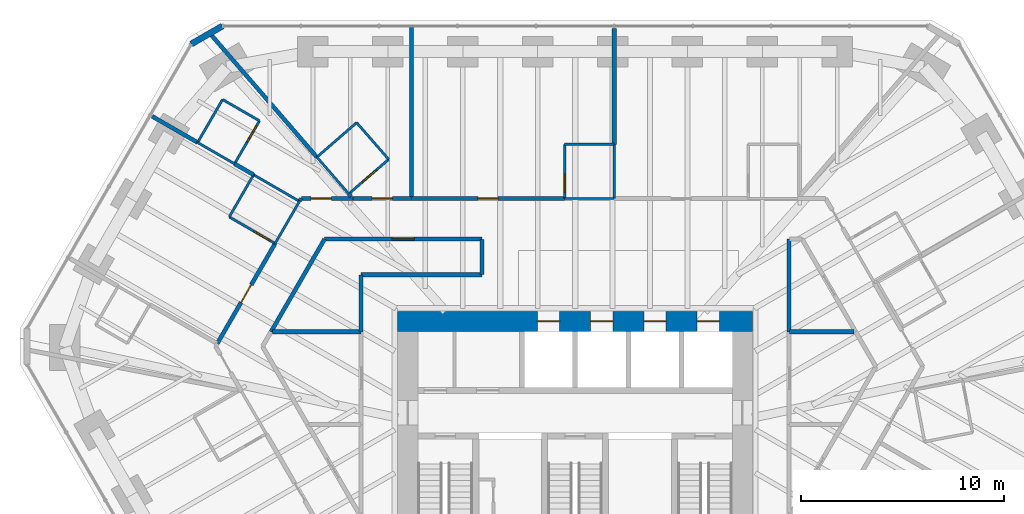
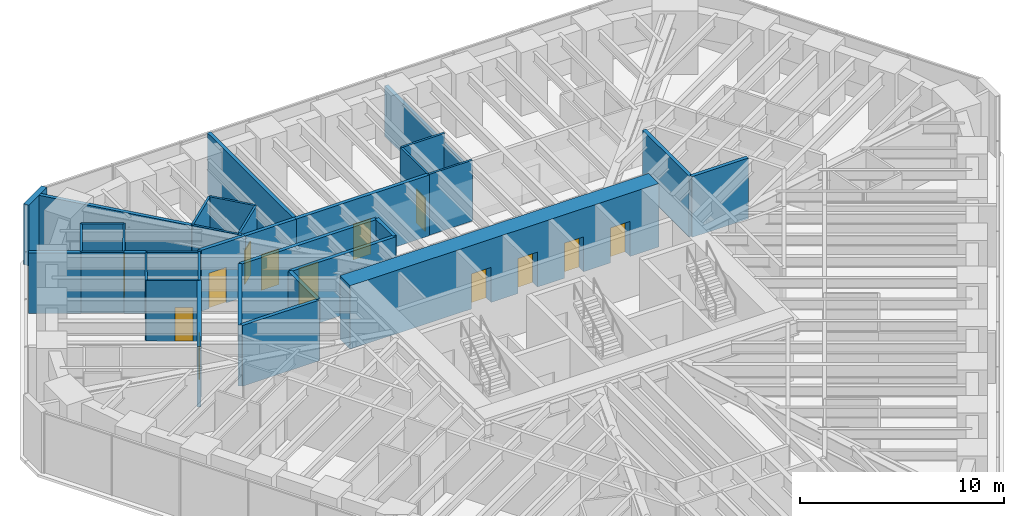
# One storey, part 14 of 16: 37 walls, 13 doors, 13 openings.
"""IFC4 building model written with IfcOpenShell, lengths in metres."""

from ifc_helpers import new_model, si_unit, direction, frame, frame_2d, origin, place, context, subcontext, project, spatial, rectangle, extrude, material, layer, layer_set, type_object, element, fill, save


model = new_model("IFC4")

# Units and contexts
model_context = context("Model", 3, precision=1e-05, world=origin(), true_north=direction((0.0, 1.0)))
body_context = subcontext(model_context, "Body", "Model", "MODEL_VIEW")
ifc_project = project(units=[si_unit("LENGTHUNIT", "METRE"), si_unit("AREAUNIT", "SQUARE_METRE"), si_unit("VOLUMEUNIT", "CUBIC_METRE"), si_unit("PLANEANGLEUNIT", "RADIAN"), si_unit("MASSUNIT", "GRAM", prefix="KILO")], contexts=[model_context])

# Site, building, storey
site_placement = place(None, origin())
site = spatial("IfcSite", under=ifc_project, at=site_placement, CompositionType="ELEMENT")
building_placement = place(site_placement, origin())
building = spatial("IfcBuilding", under=site, at=building_placement, Name="Sandreach Pilgrim Tower", CompositionType="ELEMENT")
storey_placement = place(building_placement, frame((0.0, 0.0, 206.0)))
storey = spatial("IfcBuildingStorey", under=building, at=storey_placement, Name="L51", CompositionType="ELEMENT", Elevation=206.0)

# Walls
ifc_material_1 = material(Name="Moisture-resistant gypsum board on steel studs", Category="steel")
ifc_layer_1 = layer(ifc_material_1, 0.1201171875)
ifc_layer_set_1 = layer_set([ifc_layer_1], Name="Bathroom partition 120")
wall_type_1 = type_object("IfcWallType", Name="Bathroom partition 120", PredefinedType="PARTITIONING", material=ifc_layer_set_1)
wall_1_placement = place(storey_placement, frame((-18.610107421875, 15.419921875, 0.0), z_axis=(0.0, 0.0, 1.0), x_axis=(0.86618365172, -0.499725806311, 0.0)))
element("IfcWall", 1, at=wall_1_placement, inside=storey, type_object=wall_type_1, Name="Bathroom partition L51-011", PredefinedType="PARTITIONING", context=body_context, shape_type="SweptSolid", body=[
    extrude(rectangle(XDim=2.101318359375, YDim=0.1201171875, at=frame_2d((1.05078125, 0.0))), origin(), (0.0, 0.0, 1.0), 3.639892578125),
])
wall_2_placement = place(storey_placement, frame((-17.3798828125, 17.5400390625, 0.0), z_axis=(0.0, 0.0, 1.0), x_axis=(-0.501888006485, -0.864932615264, 0.0)))
element("IfcWall", 2, at=wall_2_placement, inside=storey, type_object=wall_type_1, Name="Bathroom partition L51-016", PredefinedType="PARTITIONING", context=body_context, shape_type="SweptSolid", body=[
    extrude(rectangle(XDim=2.451171875, YDim=0.1201171875, at=frame_2d((1.2255859375, 0.0))), origin(), (0.0, 0.0, 1.0), 3.639892578125),
])

# Wall, opening, door
wall_3_placement = place(storey_placement, frame((-17.050048828125, 11.75, 0.0), z_axis=(0.0, 0.0, 1.0), x_axis=(0.865155281359, -0.50150407689, 0.0)))
wall_3 = element("IfcWall", 3, at=wall_3_placement, inside=storey, type_object=wall_type_1, Name="Bathroom partition L51-017", PredefinedType="PARTITIONING", context=body_context, shape_type="SweptSolid", body=[
    extrude(rectangle(XDim=2.6123046875, YDim=0.1201171875, at=frame_2d((1.30615234375, 0.0))), origin(), (0.0, 0.0, 1.0), 3.639892578125),
])
opening_1_placement = place(wall_3_placement, frame((1.412109375, 0.0, 0.0)))
opening_1 = element("IfcOpeningElement", 4, at=opening_1_placement, cuts=wall_3, Name="Opening D09-16B", PredefinedType="OPENING", context=body_context, shape_type="SweptSolid", body=[
    extrude(rectangle(XDim=0.89990234375, YDim=2.030029296875, at=frame_2d((0.449951171875, 1.01513671875))), frame((0.0, 0.06005859375, 0.0), z_axis=(0.0, -1.0, 0.0), x_axis=(1.0, 0.0, 0.0)), (0.0, 0.0, 1.0), 0.1201171875),
])
ifc_material_2 = material(Name="Timber door, steel frame", Category="steel")
door_type_1 = type_object("IfcDoorType", Name="Bathroom door", OperationType="SINGLE_SWING_LEFT", PredefinedType="DOOR", material=ifc_material_2)
door_1_placement = place(opening_1_placement, origin())
door_1 = element("IfcDoor", 5, at=door_1_placement, inside=storey, type_object=door_type_1, Name="Door 5116B", OperationType="SINGLE_SWING_RIGHT", OverallHeight=2.030029296875, OverallWidth=0.89990234375, PredefinedType="DOOR", context=body_context, shape_type="SweptSolid", body=[
    extrude(rectangle(XDim=0.89990234375, YDim=2.030029296875, at=frame_2d((0.449951171875, 1.01513671875))), frame((0.0, 0.02490234375, 0.0), z_axis=(0.0, -1.0, 0.0), x_axis=(1.0, 0.0, 0.0)), (0.0, 0.0, 1.0), 0.050048828125),
])
fill(opening_1, door_1)

wall_4_placement = place(storey_placement, frame((-16.7900390625, 14.3701171875, 0.0), z_axis=(0.0, 0.0, 1.0), x_axis=(0.501856726365, 0.86495076519, 0.0)))
wall_4 = element("IfcWall", 6, at=wall_4_placement, inside=storey, type_object=wall_type_1, Name="Bathroom partition L51-019", PredefinedType="PARTITIONING", context=body_context, shape_type="SweptSolid", body=[
    extrude(rectangle(XDim=2.450927734375, YDim=0.1201171875, at=frame_2d((1.2255859375, 0.0))), origin(), (0.0, 0.0, 1.0), 3.639892578125),
])
opening_2_placement = place(wall_4_placement, frame((1.2509765625, 0.0, 0.0)))
opening_2 = element("IfcOpeningElement", 7, at=opening_2_placement, cuts=wall_4, Name="Opening D09-17B", PredefinedType="OPENING", context=body_context, shape_type="SweptSolid", body=[
    extrude(rectangle(XDim=0.89990234375, YDim=2.030029296875, at=frame_2d((0.449951171875, 1.01513671875))), frame((0.0, 0.06005859375, 0.0), z_axis=(0.0, -1.0, 0.0), x_axis=(1.0, 0.0, 0.0)), (0.0, 0.0, 1.0), 0.1201171875),
])
door_2_placement = place(opening_2_placement, origin())
door_2 = element("IfcDoor", 8, at=door_2_placement, inside=storey, type_object=door_type_1, Name="Door 5117B", OperationType="SINGLE_SWING_RIGHT", OverallHeight=2.030029296875, OverallWidth=0.89990234375, PredefinedType="DOOR", context=body_context, shape_type="SweptSolid", body=[
    extrude(rectangle(XDim=0.89990234375, YDim=2.030029296875, at=frame_2d((0.449951171875, 1.01513671875))), frame((0.0, 0.02490234375, 0.0), z_axis=(0.0, -1.0, 0.0), x_axis=(1.0, 0.0, 0.0)), (0.0, 0.0, 1.0), 0.050048828125),
])
fill(opening_2, door_2)

# Walls
wall_5_placement = place(storey_placement, frame((-15.85009765625, 13.830078125, 0.0), z_axis=(0.0, 0.0, 1.0), x_axis=(-0.499693115345, -0.866202511239, 0.0)))
element("IfcWall", 9, at=wall_5_placement, inside=storey, type_object=wall_type_1, Name="Bathroom partition L51-023", PredefinedType="PARTITIONING", context=body_context, shape_type="SweptSolid", body=[
    extrude(rectangle(XDim=2.4013671875, YDim=0.1201171875, at=frame_2d((1.20068359375, 0.0))), origin(), (0.0, 0.0, 1.0), 3.639892578125),
])
wall_6_placement = place(storey_placement, frame((-15.85009765625, 13.830078125, 0.0), z_axis=(0.0, 0.0, 1.0), x_axis=(0.865155281359, -0.50150407689, 0.0)))
element("IfcWall", 10, at=wall_6_placement, inside=storey, type_object=wall_type_1, Name="Bathroom partition L51-024", PredefinedType="PARTITIONING", context=body_context, shape_type="SweptSolid", body=[
    extrude(rectangle(XDim=2.6123046875, YDim=0.1201171875, at=frame_2d((1.30615234375, 0.0))), origin(), (0.0, 0.0, 1.0), 3.639892578125),
])
wall_7_placement = place(storey_placement, frame((-15.56005859375, 16.489990234375, 0.0), z_axis=(0.0, 0.0, 1.0), x_axis=(-0.86618365172, 0.499725806311, 0.0)))
element("IfcWall", 11, at=wall_7_placement, inside=storey, type_object=wall_type_1, Name="Bathroom partition L51-025", PredefinedType="PARTITIONING", context=body_context, shape_type="SweptSolid", body=[
    extrude(rectangle(XDim=2.101318359375, YDim=0.1201171875, at=frame_2d((1.05078125, 0.0))), origin(), (0.0, 0.0, 1.0), 3.639892578125),
])
wall_8_placement = place(storey_placement, frame((-14.7919921875, 10.441162109375, 0.0), z_axis=(0.0, 0.0, 1.0), x_axis=(0.501340276177, 0.865250210912, 0.0)))
element("IfcWall", 12, at=wall_8_placement, inside=storey, type_object=wall_type_1, Name="Bathroom partition L51-030", PredefinedType="PARTITIONING", context=body_context, shape_type="SweptSolid", body=[
    extrude(rectangle(XDim=2.437255859375, YDim=0.1201171875, at=frame_2d((1.21875, 0.0))), origin(), (0.0, 0.0, 1.0), 3.639892578125),
])
wall_9_placement = place(storey_placement, frame((-12.72998046875, 14.699951171875, 0.0), z_axis=(0.0, 0.0, 1.0), x_axis=(0.655302876176, -0.755366229372, 0.0)))
element("IfcWall", 13, at=wall_9_placement, inside=storey, type_object=wall_type_1, Name="Bathroom partition L51-037", PredefinedType="PARTITIONING", context=body_context, shape_type="SweptSolid", body=[
    extrude(rectangle(XDim=2.39599609375, YDim=0.1201171875, at=frame_2d((1.197998046875, 0.0))), origin(), (0.0, 0.0, 1.0), 3.639892578125),
])

# Wall, opening, door
wall_10_placement = place(storey_placement, frame((-11.159912109375, 12.889892578125, 0.0), z_axis=(0.0, 0.0, 1.0), x_axis=(0.757040252764, 0.65336823897, 0.0)))
wall_10 = element("IfcWall", 14, at=wall_10_placement, inside=storey, type_object=wall_type_1, Name="Bathroom partition L51-041", PredefinedType="PARTITIONING", context=body_context, shape_type="SweptSolid", body=[
    extrude(rectangle(XDim=2.602294921875, YDim=0.1201171875, at=frame_2d((1.30126953125, 0.0))), origin(), (0.0, 0.0, 1.0), 3.639892578125),
])
opening_3_placement = place(wall_10_placement, frame((0.89990234375, 0.0, 0.0)))
opening_3 = element("IfcOpeningElement", 15, at=opening_3_placement, cuts=wall_10, Name="Opening D09-01B", PredefinedType="OPENING", context=body_context, shape_type="SweptSolid", body=[
    extrude(rectangle(XDim=0.89990234375, YDim=2.030029296875, at=frame_2d((0.449951171875, 1.01513671875))), frame((0.0, 0.06005859375, 0.0), z_axis=(0.0, -1.0, 0.0), x_axis=(1.0, 0.0, 0.0)), (0.0, 0.0, 1.0), 0.1201171875),
])
door_3_placement = place(opening_3_placement, origin())
door_3 = element("IfcDoor", 16, at=door_3_placement, inside=storey, type_object=door_type_1, Name="Door 5101B", OperationType="SINGLE_SWING_RIGHT", OverallHeight=2.030029296875, OverallWidth=0.89990234375, PredefinedType="DOOR", context=body_context, shape_type="SweptSolid", body=[
    extrude(rectangle(XDim=0.89990234375, YDim=2.030029296875, at=frame_2d((0.449951171875, 1.01513671875))), frame((0.0, 0.02490234375, 0.0), z_axis=(0.0, -1.0, 0.0), x_axis=(1.0, 0.0, 0.0)), (0.0, 0.0, 1.0), 0.050048828125),
])
fill(opening_3, door_3)

# Walls
wall_11_placement = place(storey_placement, frame((-10.77001953125, 16.39990234375, 0.0), z_axis=(0.0, 0.0, 1.0), x_axis=(-0.755437535555, -0.655220672655, 0.0)))
element("IfcWall", 17, at=wall_11_placement, inside=storey, type_object=wall_type_1, Name="Bathroom partition L51-043", PredefinedType="PARTITIONING", context=body_context, shape_type="SweptSolid", body=[
    extrude(rectangle(XDim=2.594482421875, YDim=0.1201171875, at=frame_2d((1.29736328125, 0.0))), origin(), (0.0, 0.0, 1.0), 3.639892578125),
])
wall_12_placement = place(storey_placement, frame((-9.18994140625, 14.590087890625, 0.0), z_axis=(0.0, 0.0, 1.0), x_axis=(-0.65767687105, 0.75330016148, 0.0)))
element("IfcWall", 18, at=wall_12_placement, inside=storey, type_object=wall_type_1, Name="Bathroom partition L51-050", PredefinedType="PARTITIONING", context=body_context, shape_type="SweptSolid", body=[
    extrude(rectangle(XDim=2.402587890625, YDim=0.1201171875, at=frame_2d((1.201171875, 0.0))), origin(), (0.0, 0.0, 1.0), 3.639892578125),
])

# Wall, opening, door
wall_13_placement = place(storey_placement, frame((-0.52001953125, 15.330078125, 0.0), z_axis=(0.0, 0.0, 1.0), x_axis=(0.0, -1.0, 0.0)))
wall_13 = element("IfcWall", 19, at=wall_13_placement, inside=storey, type_object=wall_type_1, Name="Bathroom partition L51-081", PredefinedType="PARTITIONING", context=body_context, shape_type="SweptSolid", body=[
    extrude(rectangle(XDim=2.670166015625, YDim=0.1201171875, at=frame_2d((1.3349609375, 0.0))), origin(), (0.0, 0.0, 1.0), 3.639892578125),
])
opening_4_placement = place(wall_13_placement, frame((1.469970703125, 0.0, 0.0)))
opening_4 = element("IfcOpeningElement", 20, at=opening_4_placement, cuts=wall_13, Name="Opening D09-02B", PredefinedType="OPENING", context=body_context, shape_type="SweptSolid", body=[
    extrude(rectangle(XDim=0.89990234375, YDim=2.030029296875, at=frame_2d((0.449951171875, 1.01513671875))), frame((0.0, 0.06005859375, 0.0), z_axis=(0.0, -1.0, 0.0), x_axis=(1.0, 0.0, 0.0)), (0.0, 0.0, 1.0), 0.1201171875),
])
door_4_placement = place(opening_4_placement, origin())
door_4 = element("IfcDoor", 21, at=door_4_placement, inside=storey, type_object=door_type_1, Name="Door 5102B", OperationType="SINGLE_SWING_RIGHT", OverallHeight=2.030029296875, OverallWidth=0.89990234375, PredefinedType="DOOR", context=body_context, shape_type="SweptSolid", body=[
    extrude(rectangle(XDim=0.89990234375, YDim=2.030029296875, at=frame_2d((0.449951171875, 1.01513671875))), frame((0.0, 0.02490234375, 0.0), z_axis=(0.0, -1.0, 0.0), x_axis=(1.0, 0.0, 0.0)), (0.0, 0.0, 1.0), 0.050048828125),
])
fill(opening_4, door_4)

# Walls
for number, where, z_axis, x_axis, name in (
    (22, (1.929931640625, 12.659912109375, 0.0), (0.0, 0.0, 1.0), (-1.0, 0.0, 0.0), "Bathroom partition L51-084"),
    (23, (1.929931640625, 15.330078125, 0.0), (0.0, 0.0, 1.0), (-1.0, 0.0, 0.0), "Bathroom partition L51-085"),
):
    element("IfcWall", number, at=place(storey_placement, frame(where, z_axis=z_axis, x_axis=x_axis)), inside=storey, type_object=wall_type_1, Name=name, PredefinedType="PARTITIONING", context=body_context, shape_type="SweptSolid", body=[
        extrude(rectangle(XDim=2.449951171875, YDim=0.1201171875, at=frame_2d((1.22509765625, 0.0))), origin(), (0.0, 0.0, 1.0), 3.639892578125),
    ])
wall_14_placement = place(storey_placement, frame((1.929931640625, 15.330078125, 0.0), z_axis=(0.0, 0.0, 1.0), x_axis=(0.0, -1.0, 0.0)))
element("IfcWall", 24, at=wall_14_placement, inside=storey, type_object=wall_type_1, Name="Bathroom partition L51-086", PredefinedType="PARTITIONING", context=body_context, shape_type="SweptSolid", body=[
    extrude(rectangle(XDim=2.670166015625, YDim=0.1201171875, at=frame_2d((1.3349609375, 0.0))), origin(), (0.0, 0.0, 1.0), 3.022705078125),
])

# Wall, openings, doors
ifc_material_3 = material(Name="Concrete 10000 psi", Category="concrete")
ifc_layer_2 = layer(ifc_material_3, 1.0)
ifc_layer_set_2 = layer_set([ifc_layer_2], Name="Core wall 1000")
wall_type_2 = type_object("IfcWallType", Name="Core wall 1000", PredefinedType="SHEAR", material=ifc_layer_set_2)
wall_15_placement = place(storey_placement, frame((-8.75, 6.60009765625, 0.0), z_axis=(0.0, 0.0, 1.0), x_axis=(1.0, 0.0, 0.0)))
wall_15 = element("IfcWall", 25, at=wall_15_placement, inside=storey, type_object=wall_type_2, Name="Core wall N L51", PredefinedType="SHEAR", context=body_context, shape_type="SweptSolid", body=[
    extrude(rectangle(XDim=17.5, YDim=1.0, at=frame_2d((8.75, 0.0))), origin(), (0.0, 0.0, 1.0), 3.800048828125),
])
opening_5_placement = place(wall_15_placement, frame((6.887451171875, 0.0, 0.0)))
opening_5 = element("IfcOpeningElement", 26, at=opening_5_placement, cuts=wall_15, Name="Opening LD11", PredefinedType="OPENING", context=body_context, shape_type="SweptSolid", body=[
    extrude(rectangle(XDim=1.10009765625, YDim=2.10009765625, at=frame_2d((0.550048828125, 1.050048828125))), frame((0.0, 0.5, 0.0), z_axis=(0.0, -1.0, 0.0), x_axis=(1.0, 0.0, 0.0)), (0.0, 0.0, 1.0), 1.0),
])
opening_6_placement = place(wall_15_placement, frame((9.512451171875, 0.0, 0.0)))
opening_6 = element("IfcOpeningElement", 27, at=opening_6_placement, cuts=wall_15, Name="Opening LD11", PredefinedType="OPENING", context=body_context, shape_type="SweptSolid", body=[
    extrude(rectangle(XDim=1.10009765625, YDim=2.10009765625, at=frame_2d((0.550048828125, 1.050048828125))), frame((0.0, 0.5, 0.0), z_axis=(0.0, -1.0, 0.0), x_axis=(1.0, 0.0, 0.0)), (0.0, 0.0, 1.0), 1.0),
])
opening_7_placement = place(wall_15_placement, frame((12.137451171875, 0.0, 0.0)))
opening_7 = element("IfcOpeningElement", 28, at=opening_7_placement, cuts=wall_15, Name="Opening LD11", PredefinedType="OPENING", context=body_context, shape_type="SweptSolid", body=[
    extrude(rectangle(XDim=1.10009765625, YDim=2.10009765625, at=frame_2d((0.550048828125, 1.050048828125))), frame((0.0, 0.5, 0.0), z_axis=(0.0, -1.0, 0.0), x_axis=(1.0, 0.0, 0.0)), (0.0, 0.0, 1.0), 1.0),
])
opening_8_placement = place(wall_15_placement, frame((14.762451171875, 0.0, 0.0)))
opening_8 = element("IfcOpeningElement", 29, at=opening_8_placement, cuts=wall_15, Name="Opening LD11", PredefinedType="OPENING", context=body_context, shape_type="SweptSolid", body=[
    extrude(rectangle(XDim=1.10009765625, YDim=2.10009765625, at=frame_2d((0.550048828125, 1.050048828125))), frame((0.0, 0.5, 0.0), z_axis=(0.0, -1.0, 0.0), x_axis=(1.0, 0.0, 0.0)), (0.0, 0.0, 1.0), 1.0),
])
ifc_material_4 = material(Name="Steel door and frame", Category="steel")
door_type_2 = type_object("IfcDoorType", Name="Lift landing door", OperationType="DOUBLE_DOOR_SLIDING", PredefinedType="DOOR", material=ifc_material_4)
door_5_placement = place(opening_5_placement, origin())
door_5 = element("IfcDoor", 30, at=door_5_placement, inside=storey, type_object=door_type_2, Name="Lift landing door Z3A L51", OperationType="DOUBLE_DOOR_SLIDING", OverallHeight=2.10009765625, OverallWidth=1.10009765625, PredefinedType="DOOR", context=body_context, shape_type="SweptSolid", body=[
    extrude(rectangle(XDim=1.10009765625, YDim=2.10009765625, at=frame_2d((0.550048828125, 1.050048828125))), frame((0.0, 0.02490234375, 0.0), z_axis=(0.0, -1.0, 0.0), x_axis=(1.0, 0.0, 0.0)), (0.0, 0.0, 1.0), 0.050048828125),
])
fill(opening_5, door_5)
door_6_placement = place(opening_6_placement, origin())
door_6 = element("IfcDoor", 31, at=door_6_placement, inside=storey, type_object=door_type_2, Name="Lift landing door Z3B L51", OperationType="DOUBLE_DOOR_SLIDING", OverallHeight=2.10009765625, OverallWidth=1.10009765625, PredefinedType="DOOR", context=body_context, shape_type="SweptSolid", body=[
    extrude(rectangle(XDim=1.10009765625, YDim=2.10009765625, at=frame_2d((0.550048828125, 1.050048828125))), frame((0.0, 0.02490234375, 0.0), z_axis=(0.0, -1.0, 0.0), x_axis=(1.0, 0.0, 0.0)), (0.0, 0.0, 1.0), 0.050048828125),
])
fill(opening_6, door_6)
door_7_placement = place(opening_7_placement, origin())
door_7 = element("IfcDoor", 32, at=door_7_placement, inside=storey, type_object=door_type_2, Name="Lift landing door Z3C L51", OperationType="DOUBLE_DOOR_SLIDING", OverallHeight=2.10009765625, OverallWidth=1.10009765625, PredefinedType="DOOR", context=body_context, shape_type="SweptSolid", body=[
    extrude(rectangle(XDim=1.10009765625, YDim=2.10009765625, at=frame_2d((0.550048828125, 1.050048828125))), frame((0.0, 0.02490234375, 0.0), z_axis=(0.0, -1.0, 0.0), x_axis=(1.0, 0.0, 0.0)), (0.0, 0.0, 1.0), 0.050048828125),
])
fill(opening_7, door_7)
door_8_placement = place(opening_8_placement, origin())
door_8 = element("IfcDoor", 33, at=door_8_placement, inside=storey, type_object=door_type_2, Name="Lift landing door Z3D L51", OperationType="DOUBLE_DOOR_SLIDING", OverallHeight=2.10009765625, OverallWidth=1.10009765625, PredefinedType="DOOR", context=body_context, shape_type="SweptSolid", body=[
    extrude(rectangle(XDim=1.10009765625, YDim=2.10009765625, at=frame_2d((0.550048828125, 1.050048828125))), frame((0.0, 0.02490234375, 0.0), z_axis=(0.0, -1.0, 0.0), x_axis=(1.0, 0.0, 0.0)), (0.0, 0.0, 1.0), 0.050048828125),
])
fill(opening_8, door_8)

# Wall, opening, door
ifc_material_5 = material(Name="Gypsum board on steel studs, two layers each side", Category="steel")
ifc_layer_3 = layer(ifc_material_5, 0.199951171875)
ifc_layer_set_3 = layer_set([ifc_layer_3], Name="Corridor wall 200")
wall_type_3 = type_object("IfcWallType", Name="Corridor wall 200", PredefinedType="PARTITIONING", material=ifc_layer_set_3)
wall_16_placement = place(storey_placement, frame((-17.639892578125, 5.510009765625, 0.0), z_axis=(0.0, 0.0, 1.0), x_axis=(0.500468304441, 0.865754859212, 0.0)))
wall_16 = element("IfcWall", 34, at=wall_16_placement, inside=storey, type_object=wall_type_3, Name="Corridor wall L51-013", PredefinedType="PARTITIONING", context=body_context, shape_type="SweptSolid", body=[
    extrude(rectangle(XDim=5.6943359375, YDim=0.199951171875, at=frame_2d((2.84716796875, 0.0))), origin(), (0.0, 0.0, 1.0), 3.639892578125),
])
opening_9_placement = place(wall_16_placement, frame((2.347412109375, 0.0, 0.0)))
opening_9 = element("IfcOpeningElement", 35, at=opening_9_placement, cuts=wall_16, Name="Opening D10-16", PredefinedType="OPENING", context=body_context, shape_type="SweptSolid", body=[
    extrude(rectangle(XDim=1.0, YDim=2.1298828125, at=frame_2d((0.5, 1.06494140625))), frame((0.0, 0.10009765625, 0.0), z_axis=(0.0, -1.0, 0.0), x_axis=(1.0, 0.0, 0.0)), (0.0, 0.0, 1.0), 0.199951171875),
])
ifc_material_6 = material(Name="Steel door and frame", Category="steel")
door_type_3 = type_object("IfcDoorType", Name="Guest room entry door", OperationType="SINGLE_SWING_LEFT", PredefinedType="DOOR", material=ifc_material_6)
door_9_placement = place(opening_9_placement, origin())
door_9 = element("IfcDoor", 36, at=door_9_placement, inside=storey, type_object=door_type_3, Name="Door 5116", OperationType="SINGLE_SWING_LEFT", OverallHeight=2.1298828125, OverallWidth=1.0, PredefinedType="DOOR", context=body_context, shape_type="SweptSolid", body=[
    extrude(rectangle(XDim=1.0, YDim=2.1298828125, at=frame_2d((0.5, 1.06494140625))), frame((0.0, 0.02490234375, 0.0), z_axis=(0.0, -1.0, 0.0), x_axis=(1.0, 0.0, 0.0)), (0.0, 0.0, 1.0), 0.050048828125),
])
fill(opening_9, door_9)

# Walls
wall_17_placement = place(storey_placement, frame((-14.989990234375, 6.090087890625, 0.0), z_axis=(0.0, 0.0, 1.0), x_axis=(0.500213626659, 0.86590203124, 0.0)))
element("IfcWall", 37, at=wall_17_placement, inside=storey, type_object=wall_type_3, Name="Corridor wall L51-028", PredefinedType="PARTITIONING", context=body_context, shape_type="SweptSolid", body=[
    extrude(rectangle(XDim=5.277587890625, YDim=0.199951171875, at=frame_2d((2.638671875, 0.0))), origin(), (0.0, 0.0, 1.0), 3.639892578125),
])
wall_18_placement = place(storey_placement, frame((-13.5, 12.659912109375, 0.0), z_axis=(0.0, 0.0, 1.0), x_axis=(-0.537723852201, -0.843121022614, 0.0)))
element("IfcWall", 38, at=wall_18_placement, inside=storey, type_object=wall_type_3, Name="Corridor wall L51-034", PredefinedType="PARTITIONING", context=body_context, shape_type="SweptSolid", body=[
    extrude(rectangle(XDim=0.13037109375, YDim=0.199951171875, at=frame_2d((0.065185546875, 0.0))), origin(), (0.0, 0.0, 1.0), 3.639892578125),
])

# Wall, opening, door
wall_19_placement = place(storey_placement, frame((-12.35009765625, 10.659912109375, 0.0), z_axis=(0.0, 0.0, 1.0), x_axis=(1.0, 0.0, 0.0)))
wall_19 = element("IfcWall", 39, at=wall_19_placement, inside=storey, type_object=wall_type_3, Name="Corridor wall L51-038", PredefinedType="PARTITIONING", context=body_context, shape_type="SweptSolid", body=[
    extrude(rectangle(XDim=7.75, YDim=0.199951171875, at=frame_2d((3.875, 0.0))), origin(), (0.0, 0.0, 1.0), 3.639892578125),
])
opening_10_placement = place(wall_19_placement, frame((3.324951171875, 0.0, 0.0)))
opening_10 = element("IfcOpeningElement", 40, at=opening_10_placement, cuts=wall_19, Name="Opening D11H-M03", PredefinedType="OPENING", context=body_context, shape_type="SweptSolid", body=[
    extrude(rectangle(XDim=1.10009765625, YDim=2.199951171875, at=frame_2d((0.550048828125, 1.10009765625))), frame((0.0, 0.10009765625, 0.0), z_axis=(0.0, -1.0, 0.0), x_axis=(1.0, 0.0, 0.0)), (0.0, 0.0, 1.0), 0.199951171875),
])
ifc_material_7 = material(Name="Steel door and frame", Category="steel")
door_type_4 = type_object("IfcDoorType", Name="Back of house door", OperationType="SINGLE_SWING_LEFT", PredefinedType="DOOR", material=ifc_material_7)
door_10_placement = place(opening_10_placement, origin())
door_10 = element("IfcDoor", 41, at=door_10_placement, inside=storey, type_object=door_type_4, Name="Door 51M03", OperationType="SINGLE_SWING_LEFT", OverallHeight=2.199951171875, OverallWidth=1.10009765625, PredefinedType="DOOR", context=body_context, shape_type="SweptSolid", body=[
    extrude(rectangle(XDim=1.10009765625, YDim=2.199951171875, at=frame_2d((0.550048828125, 1.10009765625))), frame((0.0, 0.02490234375, 0.0), z_axis=(0.0, -1.0, 0.0), x_axis=(1.0, 0.0, 0.0)), (0.0, 0.0, 1.0), 0.050048828125),
])
fill(opening_10, door_10)

wall_20_placement = place(storey_placement, frame((-10.9599609375, 12.659912109375, 0.0), z_axis=(0.0, 0.0, 1.0), x_axis=(-1.0, 0.0, 0.0)))
wall_20 = element("IfcWall", 42, at=wall_20_placement, inside=storey, type_object=wall_type_3, Name="Corridor wall L51-042", PredefinedType="PARTITIONING", context=body_context, shape_type="SweptSolid", body=[
    extrude(rectangle(XDim=2.5400390625, YDim=0.199951171875, at=frame_2d((1.27001953125, 0.0))), origin(), (0.0, 0.0, 1.0), 3.639892578125),
])
opening_11_placement = place(wall_20_placement, frame((1.050048828125, 0.0, 0.0)))
opening_11 = element("IfcOpeningElement", 43, at=opening_11_placement, cuts=wall_20, Name="Opening D10-17", PredefinedType="OPENING", context=body_context, shape_type="SweptSolid", body=[
    extrude(rectangle(XDim=1.0, YDim=2.1298828125, at=frame_2d((0.5, 1.06494140625))), frame((0.0, 0.10009765625, 0.0), z_axis=(0.0, -1.0, 0.0), x_axis=(1.0, 0.0, 0.0)), (0.0, 0.0, 1.0), 0.199951171875),
])
door_11_placement = place(opening_11_placement, origin())
door_11 = element("IfcDoor", 44, at=door_11_placement, inside=storey, type_object=door_type_3, Name="Door 5117", OperationType="SINGLE_SWING_RIGHT", OverallHeight=2.1298828125, OverallWidth=1.0, PredefinedType="DOOR", context=body_context, shape_type="SweptSolid", body=[
    extrude(rectangle(XDim=1.0, YDim=2.1298828125, at=frame_2d((0.5, 1.06494140625))), frame((0.0, 0.02490234375, 0.0), z_axis=(0.0, -1.0, 0.0), x_axis=(1.0, 0.0, 0.0)), (0.0, 0.0, 1.0), 0.050048828125),
])
fill(opening_11, door_11)

# Wall
wall_21_placement = place(storey_placement, frame((-10.550048828125, 8.889892578125, 0.0), z_axis=(0.0, 0.0, 1.0), x_axis=(0.0, -1.0, 0.0)))
element("IfcWall", 45, at=wall_21_placement, inside=storey, type_object=wall_type_3, Name="Corridor wall L51-049", PredefinedType="PARTITIONING", context=body_context, shape_type="SweptSolid", body=[
    extrude(rectangle(XDim=2.7998046875, YDim=0.199951171875, at=frame_2d((1.39990234375, 0.0))), origin(), (0.0, 0.0, 1.0), 3.639892578125),
])

# Wall, opening, door
wall_22_placement = place(storey_placement, frame((-8.06005859375, 12.659912109375, 0.0), z_axis=(0.0, 0.0, 1.0), x_axis=(-1.0, 0.0, 0.0)))
wall_22 = element("IfcWall", 46, at=wall_22_placement, inside=storey, type_object=wall_type_3, Name="Corridor wall L51-053", PredefinedType="PARTITIONING", context=body_context, shape_type="SweptSolid", body=[
    extrude(rectangle(XDim=2.89990234375, YDim=0.199951171875, at=frame_2d((1.449951171875, 0.0))), origin(), (0.0, 0.0, 1.0), 3.639892578125),
])
opening_12_placement = place(wall_22_placement, frame((0.949951171875, 0.0, 0.0)))
opening_12 = element("IfcOpeningElement", 47, at=opening_12_placement, cuts=wall_22, Name="Opening D10-01", PredefinedType="OPENING", context=body_context, shape_type="SweptSolid", body=[
    extrude(rectangle(XDim=1.0, YDim=2.1298828125, at=frame_2d((0.5, 1.06494140625))), frame((0.0, 0.10009765625, 0.0), z_axis=(0.0, -1.0, 0.0), x_axis=(1.0, 0.0, 0.0)), (0.0, 0.0, 1.0), 0.199951171875),
])
door_12_placement = place(opening_12_placement, origin())
door_12 = element("IfcDoor", 48, at=door_12_placement, inside=storey, type_object=door_type_3, Name="Door 5101", OperationType="SINGLE_SWING_LEFT", OverallHeight=2.1298828125, OverallWidth=1.0, PredefinedType="DOOR", context=body_context, shape_type="SweptSolid", body=[
    extrude(rectangle(XDim=1.0, YDim=2.1298828125, at=frame_2d((0.5, 1.06494140625))), frame((0.0, 0.02490234375, 0.0), z_axis=(0.0, -1.0, 0.0), x_axis=(1.0, 0.0, 0.0)), (0.0, 0.0, 1.0), 0.050048828125),
])
fill(opening_12, door_12)

# Walls
wall_23_placement = place(storey_placement, frame((-4.60009765625, 8.89990234375, 0.0), z_axis=(0.0, 0.0, 1.0), x_axis=(-1.0, 0.0, 0.0)))
element("IfcWall", 49, at=wall_23_placement, inside=storey, type_object=wall_type_3, Name="Corridor wall L51-063", PredefinedType="PARTITIONING", context=body_context, shape_type="SweptSolid", body=[
    extrude(rectangle(XDim=5.949951171875, YDim=0.199951171875, at=frame_2d((2.97509765625, 0.0))), origin(), (0.0, 0.0, 1.0), 3.639892578125),
])
wall_24_placement = place(storey_placement, frame((-4.60009765625, 10.64990234375, 0.0), z_axis=(0.0, 0.0, 1.0), x_axis=(0.0, -1.0, 0.0)))
element("IfcWall", 50, at=wall_24_placement, inside=storey, type_object=wall_type_3, Name="Corridor wall L51-064", PredefinedType="PARTITIONING", context=body_context, shape_type="SweptSolid", body=[
    extrude(rectangle(XDim=1.739990234375, YDim=0.199951171875, at=frame_2d((0.8701171875, 0.0))), origin(), (0.0, 0.0, 1.0), 3.639892578125),
])

# Wall, opening, door
wall_25_placement = place(storey_placement, frame((-0.52001953125, 12.659912109375, 0.0), z_axis=(0.0, 0.0, 1.0), x_axis=(-1.0, 0.0, 0.0)))
wall_25 = element("IfcWall", 51, at=wall_25_placement, inside=storey, type_object=wall_type_3, Name="Corridor wall L51-080", PredefinedType="PARTITIONING", context=body_context, shape_type="SweptSolid", body=[
    extrude(rectangle(XDim=7.5400390625, YDim=0.199951171875, at=frame_2d((3.77001953125, 0.0))), origin(), (0.0, 0.0, 1.0), 3.639892578125),
])
opening_13_placement = place(wall_25_placement, frame((3.27001953125, 0.0, 0.0)))
opening_13 = element("IfcOpeningElement", 52, at=opening_13_placement, cuts=wall_25, Name="Opening D10-02", PredefinedType="OPENING", context=body_context, shape_type="SweptSolid", body=[
    extrude(rectangle(XDim=1.0, YDim=2.1298828125, at=frame_2d((0.5, 1.06494140625))), frame((0.0, 0.10009765625, 0.0), z_axis=(0.0, -1.0, 0.0), x_axis=(1.0, 0.0, 0.0)), (0.0, 0.0, 1.0), 0.199951171875),
])
door_13_placement = place(opening_13_placement, origin())
door_13 = element("IfcDoor", 53, at=door_13_placement, inside=storey, type_object=door_type_3, Name="Door 5102", OperationType="SINGLE_SWING_LEFT", OverallHeight=2.1298828125, OverallWidth=1.0, PredefinedType="DOOR", context=body_context, shape_type="SweptSolid", body=[
    extrude(rectangle(XDim=1.0, YDim=2.1298828125, at=frame_2d((0.5, 1.06494140625))), frame((0.0, 0.02490234375, 0.0), z_axis=(0.0, -1.0, 0.0), x_axis=(1.0, 0.0, 0.0)), (0.0, 0.0, 1.0), 0.050048828125),
])
fill(opening_13, door_13)

# Walls
wall_26_placement = place(storey_placement, frame((10.550048828125, 6.090087890625, 0.0), z_axis=(0.0, 0.0, 1.0), x_axis=(0.0, 1.0, 0.0)))
element("IfcWall", 54, at=wall_26_placement, inside=storey, type_object=wall_type_3, Name="Corridor wall L51-109", PredefinedType="PARTITIONING", context=body_context, shape_type="SweptSolid", body=[
    extrude(rectangle(XDim=4.56982421875, YDim=0.199951171875, at=frame_2d((2.284912109375, 0.0))), origin(), (0.0, 0.0, 1.0), 3.639892578125),
])
ifc_material_8 = material(Name="Double steel stud acoustic wall, gypsum board", Category="steel")
ifc_layer_4 = layer(ifc_material_8, 0.199951171875)
ifc_layer_set_4 = layer_set([ifc_layer_4], Name="Party wall 200")
wall_type_4 = type_object("IfcWallType", Name="Party wall 200", PredefinedType="PARTITIONING", material=ifc_layer_set_4)
wall_27_placement = place(storey_placement, frame((-20.845947265625, 16.7099609375, 0.0), z_axis=(0.0, 0.0, 1.0), x_axis=(0.866163541035, -0.499760662899, 0.0)))
element("IfcWall", 55, at=wall_27_placement, inside=storey, type_object=wall_type_4, Name="Party wall L51-008", PredefinedType="PARTITIONING", context=body_context, shape_type="SweptSolid", body=[
    extrude(rectangle(XDim=2.581298828125, YDim=0.199951171875, at=frame_2d((1.29052734375, 0.0))), origin(), (0.0, 0.0, 1.0), 3.639892578125),
])
wall_28_placement = place(storey_placement, frame((-18.020263671875, 20.8173828125, 0.0), z_axis=(0.0, 0.0, 1.0), x_axis=(0.654118793629, -0.756391832201, 0.0)))
element("IfcWall", 56, at=wall_28_placement, inside=storey, type_object=wall_type_4, Name="Party wall L51-012", PredefinedType="PARTITIONING", context=body_context, shape_type="SweptSolid", body=[
    extrude(rectangle(XDim=8.087646484375, YDim=0.199951171875, at=frame_2d((4.0439453125, 0.0))), origin(), (0.0, 0.0, 1.0), 3.639892578125),
])
wall_29_placement = place(storey_placement, frame((-16.7900390625, 14.3701171875, 0.0), z_axis=(0.0, 0.0, 1.0), x_axis=(0.867132442133, -0.498077632303, 0.0)))
element("IfcWall", 57, at=wall_29_placement, inside=storey, type_object=wall_type_4, Name="Party wall L51-018", PredefinedType="PARTITIONING", context=body_context, shape_type="SweptSolid", body=[
    extrude(rectangle(XDim=1.084228515625, YDim=0.199951171875, at=frame_2d((0.5419921875, 0.0))), origin(), (0.0, 0.0, 1.0), 3.639892578125),
])
wall_30_placement = place(storey_placement, frame((-14.9150390625, 6.090087890625, 0.0), z_axis=(0.0, 0.0, 1.0), x_axis=(1.0, 0.0, 0.0)))
element("IfcWall", 58, at=wall_30_placement, inside=storey, type_object=wall_type_4, Name="Party wall L51-029", PredefinedType="PARTITIONING", context=body_context, shape_type="SweptSolid", body=[
    extrude(rectangle(XDim=4.35498046875, YDim=0.199951171875, at=frame_2d((2.177490234375, 0.0))), origin(), (0.0, 0.0, 1.0), 3.639892578125),
])
wall_31_placement = place(storey_placement, frame((-11.159912109375, 12.889892578125, 0.0), z_axis=(0.0, 0.0, 1.0), x_axis=(0.655728604214, -0.754996687155, 0.0)))
element("IfcWall", 59, at=wall_31_placement, inside=storey, type_object=wall_type_4, Name="Party wall L51-040", PredefinedType="PARTITIONING", context=body_context, shape_type="SweptSolid", body=[
    extrude(rectangle(XDim=0.174560546875, YDim=0.199951171875, at=frame_2d((0.08740234375, 0.0))), origin(), (0.0, 0.0, 1.0), 3.639892578125),
])
wall_32_placement = place(storey_placement, frame((-8.06005859375, 21.1298828125, 0.0), z_axis=(0.0, 0.0, 1.0), x_axis=(0.0, -1.0, 0.0)))
element("IfcWall", 60, at=wall_32_placement, inside=storey, type_object=wall_type_4, Name="Party wall L51-054", PredefinedType="PARTITIONING", context=body_context, shape_type="SweptSolid", body=[
    extrude(rectangle(XDim=8.4599609375, YDim=0.199951171875, at=frame_2d((4.22998046875, 0.0))), origin(), (0.0, 0.0, 1.0), 3.639892578125),
])
wall_33_placement = place(storey_placement, frame((1.929931640625, 21.0400390625, 0.0), z_axis=(0.0, 0.0, 1.0), x_axis=(0.0, -1.0, 0.0)))
element("IfcWall", 61, at=wall_33_placement, inside=storey, type_object=wall_type_4, Name="Party wall L51-087", PredefinedType="PARTITIONING", context=body_context, shape_type="SweptSolid", body=[
    extrude(rectangle(XDim=5.7099609375, YDim=0.199951171875, at=frame_2d((2.85498046875, 0.0))), origin(), (0.0, 0.0, 1.0), 3.022705078125),
])
wall_34_placement = place(storey_placement, frame((13.7548828125, 6.090087890625, 0.0), z_axis=(0.0, 0.0, 1.0), x_axis=(-1.0, 0.0, 0.0)))
element("IfcWall", 62, at=wall_34_placement, inside=storey, type_object=wall_type_4, Name="Party wall L51-126", PredefinedType="PARTITIONING", context=body_context, shape_type="SweptSolid", body=[
    extrude(rectangle(XDim=3.19482421875, YDim=0.199951171875, at=frame_2d((1.597412109375, 0.0))), origin(), (0.0, 0.0, 1.0), 3.639892578125),
])
ifc_material_9 = material(Name="Terracotta rainscreen on concrete", Category="masonry")
ifc_layer_5 = layer(ifc_material_9, 0.300048828125)
ifc_layer_set_5 = layer_set([ifc_layer_5], Name="Terracotta chamfer pier")
wall_type_5 = type_object("IfcWallType", Name="Terracotta chamfer pier", PredefinedType="SOLIDWALL", material=ifc_layer_set_5)
wall_35_placement = place(storey_placement, frame((-18.9228515625, 20.275146484375, 0.0), z_axis=(0.0, 0.0, 1.0), x_axis=(0.866036293601, 0.499981137809, 0.0)))
element("IfcWall", 63, at=wall_35_placement, inside=storey, type_object=wall_type_5, Name="Chamfer pier L51 NW", PredefinedType="SOLIDWALL", context=body_context, shape_type="SweptSolid", body=[
    extrude(rectangle(XDim=1.77001953125, YDim=0.300048828125, at=frame_2d((0.885009765625, 0.0))), origin(), (0.0, 0.0, 1.0), 3.639892578125),
])

save(model, "model.ifc")
